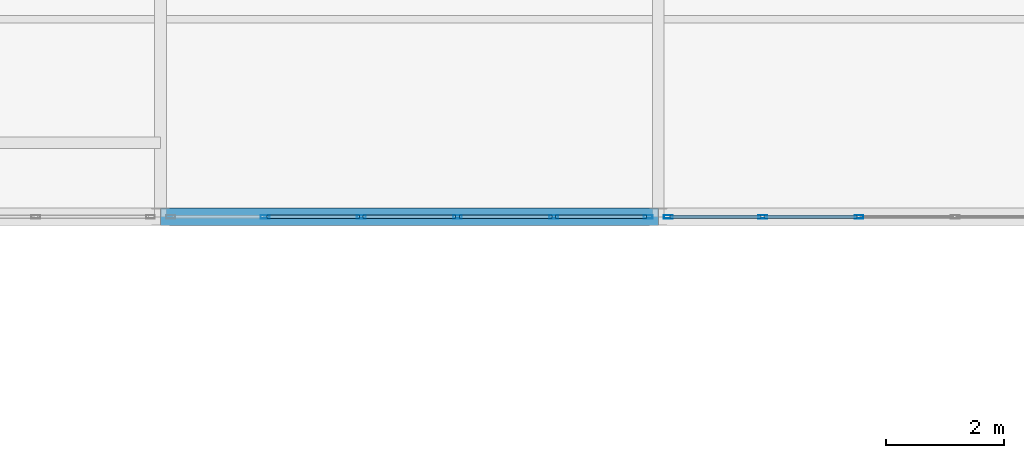
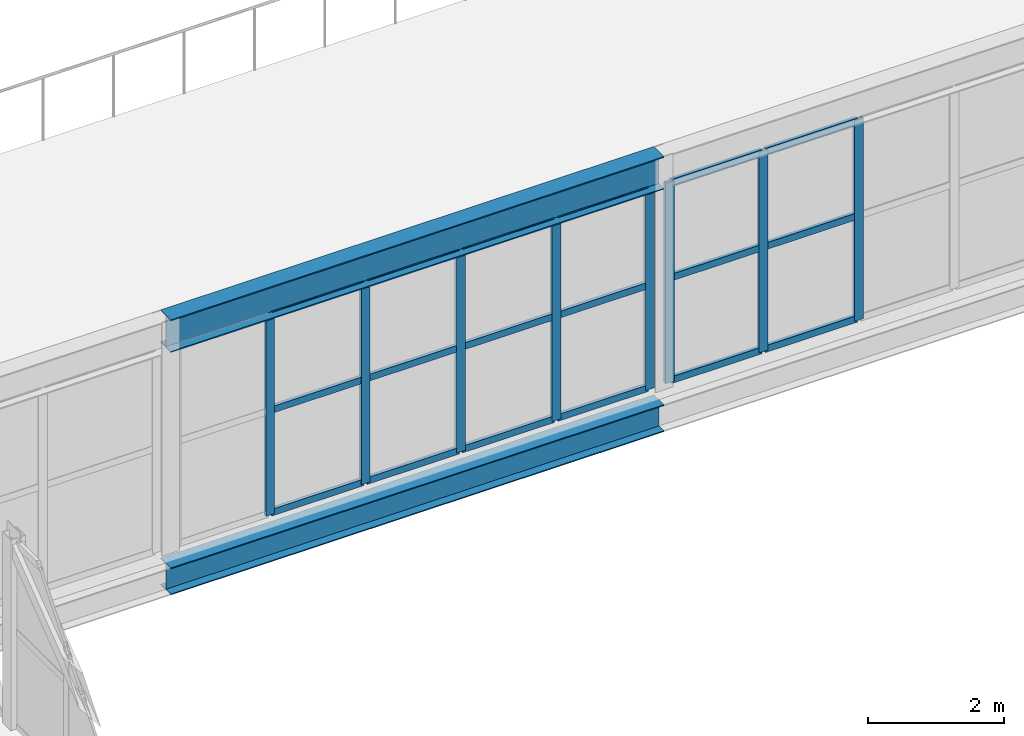
# One storey, part 97 of 218: 26 members, 2 beams, 2 elements without a shape of their own.
"""IFC4 building model written with IfcOpenShell, lengths in metres."""

from ifc_helpers import new_model, si_unit, direction, frame, origin, origin_2d, place, context, subcontext, project, spatial, hollow_rectangle, i_section, extrude, material, material_profile, profile_set, type_object, element, aggregate, save


model = new_model("IFC4")

# Units and contexts
model_context = context("Model", 3, precision=1e-05, world=origin(), true_north=direction((0.0, 1.0)))
body_context = subcontext(model_context, "Body", "Model", "MODEL_VIEW")
ifc_project = project(units=[si_unit("LENGTHUNIT", "METRE"), si_unit("AREAUNIT", "SQUARE_METRE"), si_unit("VOLUMEUNIT", "CUBIC_METRE"), si_unit("PLANEANGLEUNIT", "RADIAN"), si_unit("MASSUNIT", "GRAM", prefix="KILO")], contexts=[model_context])

# Site, building, storey
site_placement = place(None, origin())
site = spatial("IfcSite", under=ifc_project, at=site_placement, CompositionType="ELEMENT")
building_placement = place(site_placement, origin())
building = spatial("IfcBuilding", under=site, at=building_placement, Name="Kazenagashi Tramway Depot", CompositionType="ELEMENT")
storey_placement = place(building_placement, frame((0.0, 0.0, 6.0)))
storey = spatial("IfcBuildingStorey", under=building, at=storey_placement, Name="L02", CompositionType="ELEMENT", Elevation=6.0)

# Curtain wall, members
ifc_material_1 = material(Name="Anodised Aluminium and Low-E Glazing", Category="aluminium")
curtain_wall_type = type_object("IfcCurtainWallType", Name="CW-11", PredefinedType="USERDEFINED", material=ifc_material_1)
curtain_wall_1_placement = place(storey_placement, origin())
curtain_wall_1 = element("IfcCurtainWall", 1, at=curtain_wall_1_placement, inside=storey, type_object=curtain_wall_type, Name="Industrial Glazed Screen CW-11 CW-0032", ObjectType="GLAZED SCREEN", PredefinedType="USERDEFINED")
ifc_material_2 = material(Name="Anodised Aluminium", Category="aluminium")
ifc_material_profile_1 = material_profile(ifc_material_2, hollow_rectangle(XDim=0.06, YDim=0.15, WallThickness=0.004, at=origin_2d()), Name="RHS-150x60x4")
ifc_profile_set_1 = profile_set([ifc_material_profile_1], Name="Anodised Aluminium")
member_type_1 = type_object("IfcMemberType", Name="ML-01", PredefinedType="MULLION", material=ifc_profile_set_1)
member_1_placement = place(storey_placement, frame((96.964, 70.0, 0.0), z_axis=(0.0, 0.0, 1.0), x_axis=(0.0, 1.0, 0.0)))
member_1 = element("IfcMember", 2, at=member_1_placement, type_object=member_type_1, Name="CW-11 mullion 2", PredefinedType="MULLION", context=body_context, shape_type="SweptSolid", body=[
    extrude(hollow_rectangle(XDim=0.06, YDim=0.15, WallThickness=0.004, at=origin_2d()), origin(), (0.0, 0.0, 1.0), 3.612),
])
member_2_placement = place(storey_placement, frame((98.588, 70.0, 0.0), z_axis=(0.0, 0.0, 1.0), x_axis=(0.0, 1.0, 0.0)))
member_2 = element("IfcMember", 3, at=member_2_placement, type_object=member_type_1, Name="CW-11 mullion 3", PredefinedType="MULLION", context=body_context, shape_type="SweptSolid", body=[
    extrude(hollow_rectangle(XDim=0.06, YDim=0.15, WallThickness=0.004, at=origin_2d()), origin(), (0.0, 0.0, 1.0), 3.612),
])
member_3_placement = place(storey_placement, frame((100.212, 70.0, 0.0), z_axis=(0.0, 0.0, 1.0), x_axis=(0.0, 1.0, 0.0)))
member_3 = element("IfcMember", 4, at=member_3_placement, type_object=member_type_1, Name="CW-11 mullion 4", PredefinedType="MULLION", context=body_context, shape_type="SweptSolid", body=[
    extrude(hollow_rectangle(XDim=0.06, YDim=0.15, WallThickness=0.004, at=origin_2d()), origin(), (0.0, 0.0, 1.0), 3.612),
])
member_4_placement = place(storey_placement, frame((101.836, 70.0, 0.0), z_axis=(0.0, 0.0, 1.0), x_axis=(0.0, 1.0, 0.0)))
member_4 = element("IfcMember", 5, at=member_4_placement, type_object=member_type_1, Name="CW-11 mullion 5", PredefinedType="MULLION", context=body_context, shape_type="SweptSolid", body=[
    extrude(hollow_rectangle(XDim=0.06, YDim=0.15, WallThickness=0.004, at=origin_2d()), origin(), (0.0, 0.0, 1.0), 3.612),
])
member_5_placement = place(storey_placement, frame((103.43, 70.0, 0.0), z_axis=(0.0, 0.0, 1.0), x_axis=(0.0, 1.0, 0.0)))
member_5 = element("IfcMember", 6, at=member_5_placement, type_object=member_type_1, Name="CW-11 mullion 6", PredefinedType="MULLION", context=body_context, shape_type="SweptSolid", body=[
    extrude(hollow_rectangle(XDim=0.06, YDim=0.15, WallThickness=0.004, at=origin_2d()), origin(), (0.0, 0.0, 1.0), 3.612),
])

curtain_wall_2_placement = place(storey_placement, origin())
curtain_wall_2 = element("IfcCurtainWall", 7, at=curtain_wall_2_placement, inside=storey, type_object=curtain_wall_type, Name="Industrial Glazed Screen CW-11 CW-0033", ObjectType="GLAZED SCREEN", PredefinedType="USERDEFINED")
member_6_placement = place(storey_placement, frame((103.77, 70.0, 0.0), z_axis=(0.0, 0.0, 1.0), x_axis=(0.0, 1.0, 0.0)))
member_6 = element("IfcMember", 8, at=member_6_placement, type_object=member_type_1, Name="CW-11 mullion 1", PredefinedType="MULLION", context=body_context, shape_type="SweptSolid", body=[
    extrude(hollow_rectangle(XDim=0.06, YDim=0.15, WallThickness=0.004, at=origin_2d()), origin(), (0.0, 0.0, 1.0), 3.612),
])
member_7_placement = place(storey_placement, frame((105.364, 70.0, 0.0), z_axis=(0.0, 0.0, 1.0), x_axis=(0.0, 1.0, 0.0)))
member_7 = element("IfcMember", 9, at=member_7_placement, type_object=member_type_1, Name="CW-11 mullion 2", PredefinedType="MULLION", context=body_context, shape_type="SweptSolid", body=[
    extrude(hollow_rectangle(XDim=0.06, YDim=0.15, WallThickness=0.004, at=origin_2d()), origin(), (0.0, 0.0, 1.0), 3.612),
])
member_8_placement = place(storey_placement, frame((106.988, 70.0, 0.0), z_axis=(0.0, 0.0, 1.0), x_axis=(0.0, 1.0, 0.0)))
member_8 = element("IfcMember", 10, at=member_8_placement, type_object=member_type_1, Name="CW-11 mullion 3", PredefinedType="MULLION", context=body_context, shape_type="SweptSolid", body=[
    extrude(hollow_rectangle(XDim=0.06, YDim=0.15, WallThickness=0.004, at=origin_2d()), origin(), (0.0, 0.0, 1.0), 3.612),
])

# Beams
ifc_material_3 = material(Name="Steel SN490B", Category="steel")
ifc_material_profile_2 = material_profile(ifc_material_3, i_section(OverallWidth=0.3, OverallDepth=0.588, WebThickness=0.012, FlangeThickness=0.02, at=origin_2d()), Name="H-588x300x12x20")
ifc_profile_set_2 = profile_set([ifc_material_profile_2], Name="Steel SN490B")
beam_type_1 = type_object("IfcBeamType", Name="SP-01", PredefinedType="SPANDREL", material=ifc_profile_set_2)
beam_1_placement = place(storey_placement, frame((95.2, 70.0, 3.906), z_axis=(1.0, 0.0, 0.0), x_axis=(0.0, 1.0, 0.0)))
element("IfcBeam", 11, at=beam_1_placement, inside=storey, type_object=beam_type_1, Name="Beam SP-01 BM-1850", PredefinedType="SPANDREL", context=body_context, shape_type="SweptSolid", body=[
    extrude(i_section(OverallWidth=0.3, OverallDepth=0.588, WebThickness=0.012, FlangeThickness=0.02, at=origin_2d()), origin(), (0.0, 0.0, 1.0), 8.4),
])
ifc_material_profile_3 = material_profile(ifc_material_3, i_section(OverallWidth=0.3, OverallDepth=0.488, WebThickness=0.011, FlangeThickness=0.018, at=origin_2d()), Name="H-488x300x11x18")
ifc_profile_set_3 = profile_set([ifc_material_profile_3], Name="Steel SN490B")
beam_type_2 = type_object("IfcBeamType", Name="SP-02", PredefinedType="SPANDREL", material=ifc_profile_set_3)
beam_2_placement = place(storey_placement, frame((95.2, 70.0, -0.509), z_axis=(1.0, 0.0, 0.0), x_axis=(0.0, 1.0, 0.0)))
element("IfcBeam", 12, at=beam_2_placement, inside=storey, type_object=beam_type_2, Name="Beam SP-02 BM-1707", PredefinedType="SPANDREL", context=body_context, shape_type="SweptSolid", body=[
    extrude(i_section(OverallWidth=0.3, OverallDepth=0.488, WebThickness=0.011, FlangeThickness=0.018, at=origin_2d()), origin(), (0.0, 0.0, 1.0), 8.4),
])

# Member
ifc_material_profile_4 = material_profile(ifc_material_2, hollow_rectangle(XDim=0.06, YDim=0.12, WallThickness=0.004, at=origin_2d()), Name="RHS-120x60x4")
ifc_profile_set_4 = profile_set([ifc_material_profile_4], Name="Anodised Aluminium")
member_type_2 = type_object("IfcMemberType", Name="TR-01", PredefinedType="USERDEFINED", material=ifc_profile_set_4)
member_9_placement = place(storey_placement, frame((96.994, 70.0, 0.03), z_axis=(1.0, 0.0, 0.0), x_axis=(0.0, 1.0, 0.0)))
member_9 = element("IfcMember", 13, at=member_9_placement, type_object=member_type_2, Name="CW-11 transom 2.1", ObjectType="TRANSOM", PredefinedType="USERDEFINED", context=body_context, shape_type="SweptSolid", body=[
    extrude(hollow_rectangle(XDim=0.06, YDim=0.12, WallThickness=0.004, at=origin_2d()), origin(), (0.0, 0.0, 1.0), 1.564),
])

member_10_placement = place(storey_placement, frame((96.994, 70.0, 1.878), z_axis=(1.0, 0.0, 0.0), x_axis=(0.0, 1.0, 0.0)))
member_10 = element("IfcMember", 14, at=member_10_placement, type_object=member_type_2, Name="CW-11 transom 2.2", ObjectType="TRANSOM", PredefinedType="USERDEFINED", context=body_context, shape_type="SweptSolid", body=[
    extrude(hollow_rectangle(XDim=0.06, YDim=0.12, WallThickness=0.004, at=origin_2d()), origin(), (0.0, 0.0, 1.0), 1.564),
])

member_11_placement = place(storey_placement, frame((96.994, 70.0, 3.582), z_axis=(1.0, 0.0, 0.0), x_axis=(0.0, 1.0, 0.0)))
member_11 = element("IfcMember", 15, at=member_11_placement, type_object=member_type_2, Name="CW-11 transom 2.3", ObjectType="TRANSOM", PredefinedType="USERDEFINED", context=body_context, shape_type="SweptSolid", body=[
    extrude(hollow_rectangle(XDim=0.06, YDim=0.12, WallThickness=0.004, at=origin_2d()), origin(), (0.0, 0.0, 1.0), 1.564),
])

member_12_placement = place(storey_placement, frame((98.618, 70.0, 0.03), z_axis=(1.0, 0.0, 0.0), x_axis=(0.0, 1.0, 0.0)))
member_12 = element("IfcMember", 16, at=member_12_placement, type_object=member_type_2, Name="CW-11 transom 3.1", ObjectType="TRANSOM", PredefinedType="USERDEFINED", context=body_context, shape_type="SweptSolid", body=[
    extrude(hollow_rectangle(XDim=0.06, YDim=0.12, WallThickness=0.004, at=origin_2d()), origin(), (0.0, 0.0, 1.0), 1.564),
])

member_13_placement = place(storey_placement, frame((98.618, 70.0, 1.878), z_axis=(1.0, 0.0, 0.0), x_axis=(0.0, 1.0, 0.0)))
member_13 = element("IfcMember", 17, at=member_13_placement, type_object=member_type_2, Name="CW-11 transom 3.2", ObjectType="TRANSOM", PredefinedType="USERDEFINED", context=body_context, shape_type="SweptSolid", body=[
    extrude(hollow_rectangle(XDim=0.06, YDim=0.12, WallThickness=0.004, at=origin_2d()), origin(), (0.0, 0.0, 1.0), 1.564),
])

member_14_placement = place(storey_placement, frame((98.618, 70.0, 3.582), z_axis=(1.0, 0.0, 0.0), x_axis=(0.0, 1.0, 0.0)))
member_14 = element("IfcMember", 18, at=member_14_placement, type_object=member_type_2, Name="CW-11 transom 3.3", ObjectType="TRANSOM", PredefinedType="USERDEFINED", context=body_context, shape_type="SweptSolid", body=[
    extrude(hollow_rectangle(XDim=0.06, YDim=0.12, WallThickness=0.004, at=origin_2d()), origin(), (0.0, 0.0, 1.0), 1.564),
])

member_15_placement = place(storey_placement, frame((100.242, 70.0, 0.03), z_axis=(1.0, 0.0, 0.0), x_axis=(0.0, 1.0, 0.0)))
member_15 = element("IfcMember", 19, at=member_15_placement, type_object=member_type_2, Name="CW-11 transom 4.1", ObjectType="TRANSOM", PredefinedType="USERDEFINED", context=body_context, shape_type="SweptSolid", body=[
    extrude(hollow_rectangle(XDim=0.06, YDim=0.12, WallThickness=0.004, at=origin_2d()), origin(), (0.0, 0.0, 1.0), 1.564),
])

member_16_placement = place(storey_placement, frame((100.242, 70.0, 1.878), z_axis=(1.0, 0.0, 0.0), x_axis=(0.0, 1.0, 0.0)))
member_16 = element("IfcMember", 20, at=member_16_placement, type_object=member_type_2, Name="CW-11 transom 4.2", ObjectType="TRANSOM", PredefinedType="USERDEFINED", context=body_context, shape_type="SweptSolid", body=[
    extrude(hollow_rectangle(XDim=0.06, YDim=0.12, WallThickness=0.004, at=origin_2d()), origin(), (0.0, 0.0, 1.0), 1.564),
])

member_17_placement = place(storey_placement, frame((100.242, 70.0, 3.582), z_axis=(1.0, 0.0, 0.0), x_axis=(0.0, 1.0, 0.0)))
member_17 = element("IfcMember", 21, at=member_17_placement, type_object=member_type_2, Name="CW-11 transom 4.3", ObjectType="TRANSOM", PredefinedType="USERDEFINED", context=body_context, shape_type="SweptSolid", body=[
    extrude(hollow_rectangle(XDim=0.06, YDim=0.12, WallThickness=0.004, at=origin_2d()), origin(), (0.0, 0.0, 1.0), 1.564),
])

member_18_placement = place(storey_placement, frame((101.866, 70.0, 0.03), z_axis=(1.0, 0.0, 0.0), x_axis=(0.0, 1.0, 0.0)))
member_18 = element("IfcMember", 22, at=member_18_placement, type_object=member_type_2, Name="CW-11 transom 5.1", ObjectType="TRANSOM", PredefinedType="USERDEFINED", context=body_context, shape_type="SweptSolid", body=[
    extrude(hollow_rectangle(XDim=0.06, YDim=0.12, WallThickness=0.004, at=origin_2d()), origin(), (0.0, 0.0, 1.0), 1.534),
])

member_19_placement = place(storey_placement, frame((101.866, 70.0, 1.878), z_axis=(1.0, 0.0, 0.0), x_axis=(0.0, 1.0, 0.0)))
member_19 = element("IfcMember", 23, at=member_19_placement, type_object=member_type_2, Name="CW-11 transom 5.2", ObjectType="TRANSOM", PredefinedType="USERDEFINED", context=body_context, shape_type="SweptSolid", body=[
    extrude(hollow_rectangle(XDim=0.06, YDim=0.12, WallThickness=0.004, at=origin_2d()), origin(), (0.0, 0.0, 1.0), 1.534),
])

member_20_placement = place(storey_placement, frame((101.866, 70.0, 3.582), z_axis=(1.0, 0.0, 0.0), x_axis=(0.0, 1.0, 0.0)))
member_20 = element("IfcMember", 24, at=member_20_placement, type_object=member_type_2, Name="CW-11 transom 5.3", ObjectType="TRANSOM", PredefinedType="USERDEFINED", context=body_context, shape_type="SweptSolid", body=[
    extrude(hollow_rectangle(XDim=0.06, YDim=0.12, WallThickness=0.004, at=origin_2d()), origin(), (0.0, 0.0, 1.0), 1.534),
])

aggregate(curtain_wall_1, [member_1, member_2, member_3, member_4, member_5, member_9, member_10, member_11, member_12, member_13, member_14, member_15, member_16, member_17, member_18, member_19, member_20])

member_21_placement = place(storey_placement, frame((103.8, 70.0, 0.03), z_axis=(1.0, 0.0, 0.0), x_axis=(0.0, 1.0, 0.0)))
member_21 = element("IfcMember", 25, at=member_21_placement, type_object=member_type_2, Name="CW-11 transom 1.1", ObjectType="TRANSOM", PredefinedType="USERDEFINED", context=body_context, shape_type="SweptSolid", body=[
    extrude(hollow_rectangle(XDim=0.06, YDim=0.12, WallThickness=0.004, at=origin_2d()), origin(), (0.0, 0.0, 1.0), 1.534),
])

member_22_placement = place(storey_placement, frame((103.8, 70.0, 1.878), z_axis=(1.0, 0.0, 0.0), x_axis=(0.0, 1.0, 0.0)))
member_22 = element("IfcMember", 26, at=member_22_placement, type_object=member_type_2, Name="CW-11 transom 1.2", ObjectType="TRANSOM", PredefinedType="USERDEFINED", context=body_context, shape_type="SweptSolid", body=[
    extrude(hollow_rectangle(XDim=0.06, YDim=0.12, WallThickness=0.004, at=origin_2d()), origin(), (0.0, 0.0, 1.0), 1.534),
])

member_23_placement = place(storey_placement, frame((103.8, 70.0, 3.582), z_axis=(1.0, 0.0, 0.0), x_axis=(0.0, 1.0, 0.0)))
member_23 = element("IfcMember", 27, at=member_23_placement, type_object=member_type_2, Name="CW-11 transom 1.3", ObjectType="TRANSOM", PredefinedType="USERDEFINED", context=body_context, shape_type="SweptSolid", body=[
    extrude(hollow_rectangle(XDim=0.06, YDim=0.12, WallThickness=0.004, at=origin_2d()), origin(), (0.0, 0.0, 1.0), 1.534),
])

member_24_placement = place(storey_placement, frame((105.394, 70.0, 0.03), z_axis=(1.0, 0.0, 0.0), x_axis=(0.0, 1.0, 0.0)))
member_24 = element("IfcMember", 28, at=member_24_placement, type_object=member_type_2, Name="CW-11 transom 2.1", ObjectType="TRANSOM", PredefinedType="USERDEFINED", context=body_context, shape_type="SweptSolid", body=[
    extrude(hollow_rectangle(XDim=0.06, YDim=0.12, WallThickness=0.004, at=origin_2d()), origin(), (0.0, 0.0, 1.0), 1.564),
])

member_25_placement = place(storey_placement, frame((105.394, 70.0, 1.878), z_axis=(1.0, 0.0, 0.0), x_axis=(0.0, 1.0, 0.0)))
member_25 = element("IfcMember", 29, at=member_25_placement, type_object=member_type_2, Name="CW-11 transom 2.2", ObjectType="TRANSOM", PredefinedType="USERDEFINED", context=body_context, shape_type="SweptSolid", body=[
    extrude(hollow_rectangle(XDim=0.06, YDim=0.12, WallThickness=0.004, at=origin_2d()), origin(), (0.0, 0.0, 1.0), 1.564),
])

member_26_placement = place(storey_placement, frame((105.394, 70.0, 3.582), z_axis=(1.0, 0.0, 0.0), x_axis=(0.0, 1.0, 0.0)))
member_26 = element("IfcMember", 30, at=member_26_placement, type_object=member_type_2, Name="CW-11 transom 2.3", ObjectType="TRANSOM", PredefinedType="USERDEFINED", context=body_context, shape_type="SweptSolid", body=[
    extrude(hollow_rectangle(XDim=0.06, YDim=0.12, WallThickness=0.004, at=origin_2d()), origin(), (0.0, 0.0, 1.0), 1.564),
])

aggregate(curtain_wall_2, [member_6, member_7, member_8, member_21, member_22, member_23, member_24, member_25, member_26])

save(model, "model.ifc")
